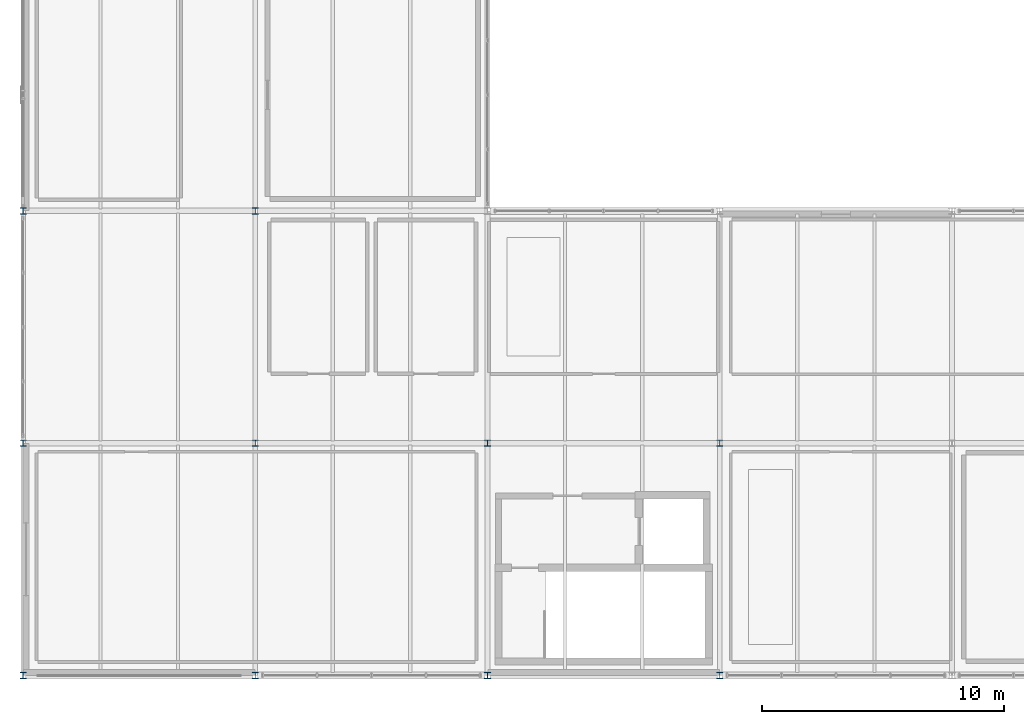
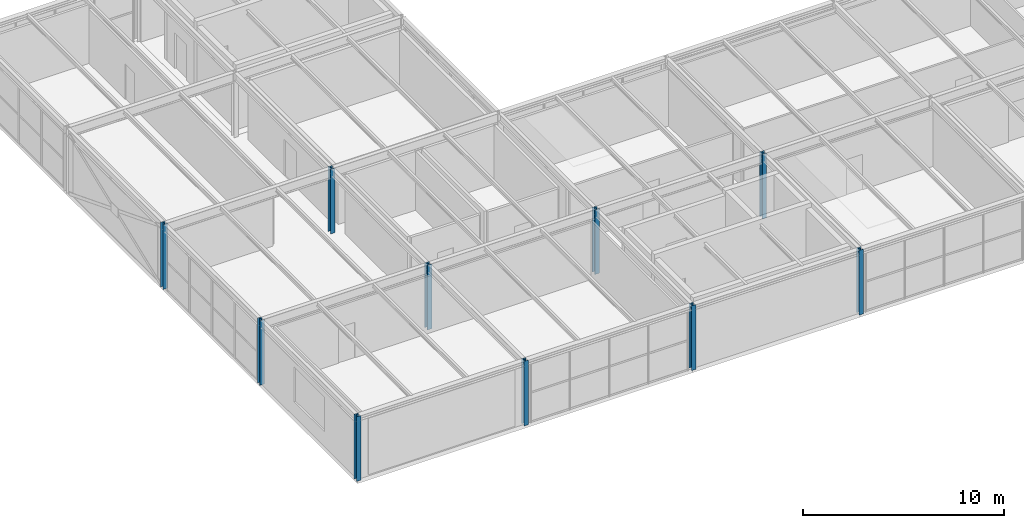
# One storey, part 1 of 33: 10 columns.
"""IFC4 building model written with IfcOpenShell, lengths in metres."""

import ifcopenshell
import ifcopenshell.guid

model = None  # the IFC model being written
_history = None  # IfcOwnerHistory: only IFC2X3 demands one
_inside = {}  # id of a spatial element -> (the spatial element, [elements in it])
_under = {}  # id of a project, library or spatial element -> (it, [spatial elements below it])
_declared = {}  # id of a project -> (the project, [libraries it declares])
_typed = {}  # id of a type object -> (the type object, [elements of that type])
_made_of = {}  # id of a material, layer set ... -> (it, [elements and type objects made of it])


def new_model(schema):
    """Start an empty IFC model of exactly this schema.

    Asked for "IFC4X3", IfcOpenShell would pick the latest addendum, in which some entities
    have other attributes; the version numbers below select the first issue.
    IFC2X3 requires an IfcOwnerHistory on every rooted entity: one is made here for all.
    """
    global model, _history
    if schema == "IFC4X3":
        model = ifcopenshell.file(schema_version=(4, 3, 0, 0))
    else:
        model = ifcopenshell.file(schema=schema)
    _inside.clear()
    _under.clear()
    _declared.clear()
    _typed.clear()
    _made_of.clear()
    _history = None
    if model.schema == "IFC2X3":
        org = make("IfcOrganization", Name="unknown")
        user = make(
            "IfcPersonAndOrganization",
            ThePerson=make("IfcPerson", FamilyName="unknown"),
            TheOrganization=org,
        )
        app = make(
            "IfcApplication",
            ApplicationDeveloper=org,
            Version="unknown",
            ApplicationFullName="unknown",
            ApplicationIdentifier="unknown",
        )
        _history = make(
            "IfcOwnerHistory",
            OwningUser=user,
            OwningApplication=app,
            ChangeAction="ADDED",
            CreationDate=0,
        )
    return model


def make(cls, **values):
    """One entity of the class cls with the attributes given. An attribute that is None is left unset."""
    return model.create_entity(
        cls, **{name: value for name, value in values.items() if value is not None}
    )


def rooted(cls, **values):
    """An entity with a GlobalId (a new one), such as an element, a storey or a relation."""
    return make(cls, GlobalId=ifcopenshell.guid.new(), OwnerHistory=_history, **values)


def si_unit(unit_type, name, prefix=None):
    """IfcSIUnit, for example si_unit("LENGTHUNIT", "METRE", prefix="MILLI")."""
    return make("IfcSIUnit", UnitType=unit_type, Prefix=prefix, Name=name)


def assignment(units):
    """IfcUnitAssignment: the units of a project."""
    return None if units is None else make("IfcUnitAssignment", Units=units)


def point(xyz):
    """IfcCartesianPoint."""
    return None if xyz is None else make("IfcCartesianPoint", Coordinates=xyz)


def direction(xyz):
    """IfcDirection."""
    return None if xyz is None else make("IfcDirection", DirectionRatios=xyz)


def frame(location, z_axis=None, x_axis=None):
    """IfcAxis2Placement3D, a coordinate frame: its origin and axes. An axis left out is left unset."""
    return make(
        "IfcAxis2Placement3D",
        Location=point(location),
        Axis=direction(z_axis),
        RefDirection=direction(x_axis),
    )


def frame_2d(location, x_axis=None):
    """IfcAxis2Placement2D, a coordinate frame in the plane: its origin and x axis."""
    return make(
        "IfcAxis2Placement2D", Location=point(location), RefDirection=direction(x_axis)
    )


def origin():
    """The frame at (0, 0, 0) with its axes left unset."""
    return frame((0.0, 0.0, 0.0))


def origin_2d():
    """The frame at (0, 0) in the plane with its x axis left unset."""
    return frame_2d((0.0, 0.0))


def place(relative_to, where):
    """IfcLocalPlacement: puts the frame where relative to a parent placement (None: the world)."""
    return make(
        "IfcLocalPlacement", PlacementRelTo=relative_to, RelativePlacement=where
    )


def context(
    kind, dimensions, precision=None, world=None, true_north=None, identifier=None
):
    """IfcGeometricRepresentationContext, for example the 3D "Model" context."""
    return make(
        "IfcGeometricRepresentationContext",
        ContextIdentifier=identifier,
        ContextType=kind,
        CoordinateSpaceDimension=dimensions,
        Precision=precision,
        WorldCoordinateSystem=world,
        TrueNorth=true_north,
    )


def subcontext(parent, identifier, kind, view, scale=None):
    """IfcGeometricRepresentationSubContext, for example "Body" below "Model"."""
    return make(
        "IfcGeometricRepresentationSubContext",
        ContextIdentifier=identifier,
        ContextType=kind,
        ParentContext=parent,
        TargetScale=scale,
        TargetView=view,
    )


def project(units=None, contexts=None):
    """IfcProject with its units and contexts."""
    return rooted(
        "IfcProject",
        Name="project",
        RepresentationContexts=contexts,
        UnitsInContext=assignment(units),
    )


def spatial(cls, under=None, at=None, **own):
    """A site, building, storey or space (cls), placed at a placement, below another one or the project."""
    s = rooted(cls, ObjectPlacement=at, **own)
    if under is not None:
        _under.setdefault(under.id(), (under, []))[1].append(s)
    return s


def profile(cls, at=None, kind="AREA", **sizes):
    """A parametric profile (cls). Its sizes go by their IFC names, for example OverallWidth=200.0."""
    return make(cls, ProfileType=kind, Position=at, **sizes)


def i_section(**sizes):
    """IfcIShapeProfileDef."""
    return profile("IfcIShapeProfileDef", **sizes)


def extrude(swept, where, along, depth):
    """IfcExtrudedAreaSolid: the profile swept, set in the frame where, extruded along a direction by depth."""
    return make(
        "IfcExtrudedAreaSolid",
        SweptArea=swept,
        Position=where,
        ExtrudedDirection=direction(along),
        Depth=depth,
    )


def shape(context_of_items, identifier, shape_type, items):
    """IfcShapeRepresentation: the items that make up one representation, for example the "Body"."""
    return make(
        "IfcShapeRepresentation",
        ContextOfItems=context_of_items,
        RepresentationIdentifier=identifier,
        RepresentationType=shape_type,
        Items=items,
    )


def material(Name=None, Category=None):
    """IfcMaterial."""
    return make("IfcMaterial", Name=Name, Category=Category)


def material_profile(
    of_material, cross_section, Name=None, Category=None, Priority=None
):
    """IfcMaterialProfile: a cross section and its material."""
    return make(
        "IfcMaterialProfile",
        Name=Name,
        Material=of_material,
        Profile=cross_section,
        Priority=Priority,
        Category=Category,
    )


def profile_set(profiles, Name=None, composite=None):
    """IfcMaterialProfileSet."""
    return make(
        "IfcMaterialProfileSet",
        Name=Name,
        MaterialProfiles=profiles,
        CompositeProfile=composite,
    )


def made_of(thing, what):
    """Note that an element or type object is made of a material, layer set ...; save() writes the relation."""
    if what is not None:
        _made_of.setdefault(what.id(), (what, []))[1].append(thing)
    return thing


def type_object(cls, material=None, **own):
    """A type object (cls), such as IfcWallType, which elements share."""
    return made_of(rooted(cls, **own), material)


def element(
    cls,
    number,
    at=None,
    inside=None,
    cuts=None,
    type_object=None,
    material=None,
    context=None,
    identifier="Body",
    shape_type=None,
    held_by="IfcProductDefinitionShape",
    body=None,
    shapes=None,
    **own,
):
    """One element of the class cls, such as IfcWall. Its Tag is "e" and its number.

    at: its placement. inside: the storey or other place that contains it. cuts: it is an
    opening in that element (IfcRelVoidsElement). A single representation is given by context,
    identifier, shape_type and body (its items); several are given by shapes. held_by: the class
    of the entity that holds the representations. save() writes the other relations.
    """
    e = rooted(cls, Tag="e%d" % number, ObjectPlacement=at, **own)
    if body is not None:
        shapes = [shape(context, identifier, shape_type, body)]
    if shapes is not None:
        e.Representation = make(held_by, Representations=shapes)
    if inside is not None:
        _inside.setdefault(inside.id(), (inside, []))[1].append(e)
    if cuts is not None:
        rooted(
            "IfcRelVoidsElement", RelatingBuildingElement=cuts, RelatedOpeningElement=e
        )
    if type_object is not None:
        _typed.setdefault(type_object.id(), (type_object, []))[1].append(e)
    return made_of(e, material)


def aggregate(whole, parts):
    """IfcRelAggregates: a whole, such as a stair, and the parts it consists of."""
    return rooted("IfcRelAggregates", RelatingObject=whole, RelatedObjects=parts)


def save(model, path):
    """Write the relations noted so far, then the file.

    IfcRelAggregates (storeys below a building ...), IfcRelContainedInSpatialStructure (elements
    in a storey), IfcRelDefinesByType, IfcRelAssociatesMaterial and IfcRelDeclares: one each for
    every whole, place, type object, material and project.
    """
    for whole, parts in _under.values():
        aggregate(whole, parts)
    for where, things in _inside.values():
        rooted(
            "IfcRelContainedInSpatialStructure",
            RelatedElements=things,
            RelatingStructure=where,
        )
    for kind, things in _typed.values():
        rooted("IfcRelDefinesByType", RelatedObjects=things, RelatingType=kind)
    for what, things in _made_of.values():
        rooted("IfcRelAssociatesMaterial", RelatedObjects=things, RelatingMaterial=what)
    for by, libraries in _declared.values():
        rooted("IfcRelDeclares", RelatingContext=by, RelatedDefinitions=libraries)
    model.write(path)


model = new_model("IFC4")

# Units and contexts
model_context = context("Model", 3, precision=1e-05, world=origin(), true_north=direction((0.0, 1.0)))
body_context = subcontext(model_context, "Body", "Model", "MODEL_VIEW")
ifc_project = project(units=[si_unit("LENGTHUNIT", "METRE"), si_unit("AREAUNIT", "SQUARE_METRE"), si_unit("VOLUMEUNIT", "CUBIC_METRE"), si_unit("PLANEANGLEUNIT", "RADIAN"), si_unit("MASSUNIT", "GRAM", prefix="KILO")], contexts=[model_context])

# Site, building, storey
site_placement = place(None, origin())
site = spatial("IfcSite", under=ifc_project, at=site_placement, CompositionType="ELEMENT")
building_placement = place(site_placement, origin())
building = spatial("IfcBuilding", under=site, at=building_placement, Name="Coralgate Yard Interchange", CompositionType="ELEMENT")
storey_placement = place(building_placement, frame((0.0, 0.0, 23.10009765625)))
storey = spatial("IfcBuildingStorey", under=building, at=storey_placement, Name="L05", CompositionType="ELEMENT", Elevation=23.10009765625)

# Columns
ifc_material = material(Name="Structural steel S355J2", Category="steel")
ifc_material_profile = material_profile(ifc_material, i_section(OverallWidth=0.25634765625, OverallDepth=0.26025390625, WebThickness=0.01025390625, FlangeThickness=0.017333984375, FilletRadius=0.0126953125, at=origin_2d()), Name="UC 254x254x89")
ifc_profile_set = profile_set([ifc_material_profile], Name="Structural steel S355J2")
column_type = type_object("IfcColumnType", Name="COL-SC-8", PredefinedType="COLUMN", material=ifc_profile_set)
for number, where, z_axis, x_axis, name in (
    (1, (0.0, 0.0, 0.0), (0.0, 0.0, 1.0), (1.0, 0.0, 0.0), "L05 structural column 0-0"),
    (2, (0.0, 9.60009765625, 0.0), (0.0, 0.0, 1.0), (1.0, 0.0, 0.0), "L05 structural column 0-1"),
    (3, (0.0, 19.199951171875, 0.0), (0.0, 0.0, 1.0), (1.0, 0.0, 0.0), "L05 structural column 0-2"),
    (4, (9.60009765625, 0.0, 0.0), (0.0, 0.0, 1.0), (1.0, 0.0, 0.0), "L05 structural column 1-0"),
    (5, (9.60009765625, 9.60009765625, 0.0), (0.0, 0.0, 1.0), (1.0, 0.0, 0.0), "L05 structural column 1-1"),
    (6, (9.60009765625, 19.199951171875, 0.0), (0.0, 0.0, 1.0), (1.0, 0.0, 0.0), "L05 structural column 1-2"),
    (7, (19.199951171875, 0.0, 0.0), (0.0, 0.0, 1.0), (1.0, 0.0, 0.0), "L05 structural column 2-0"),
    (8, (19.199951171875, 9.60009765625, 0.0), (0.0, 0.0, 1.0), (1.0, 0.0, 0.0), "L05 structural column 2-1"),
    (9, (28.800048828125, 0.0, 0.0), (0.0, 0.0, 1.0), (1.0, 0.0, 0.0), "L05 structural column 3-0"),
    (10, (28.800048828125, 9.60009765625, 0.0), (0.0, 0.0, 1.0), (1.0, 0.0, 0.0), "L05 structural column 3-1"),
):
    element("IfcColumn", number, at=place(storey_placement, frame(where, z_axis=z_axis, x_axis=x_axis)), inside=storey, type_object=column_type, Name=name, PredefinedType="COLUMN", context=body_context, shape_type="SweptSolid", body=[
        extrude(i_section(OverallWidth=0.25634765625, OverallDepth=0.26025390625, WebThickness=0.01025390625, FlangeThickness=0.017333984375, FilletRadius=0.0126953125, at=origin_2d()), origin(), (0.0, 0.0, 1.0), 3.919921875),
    ])

save(model, "model.ifc")
